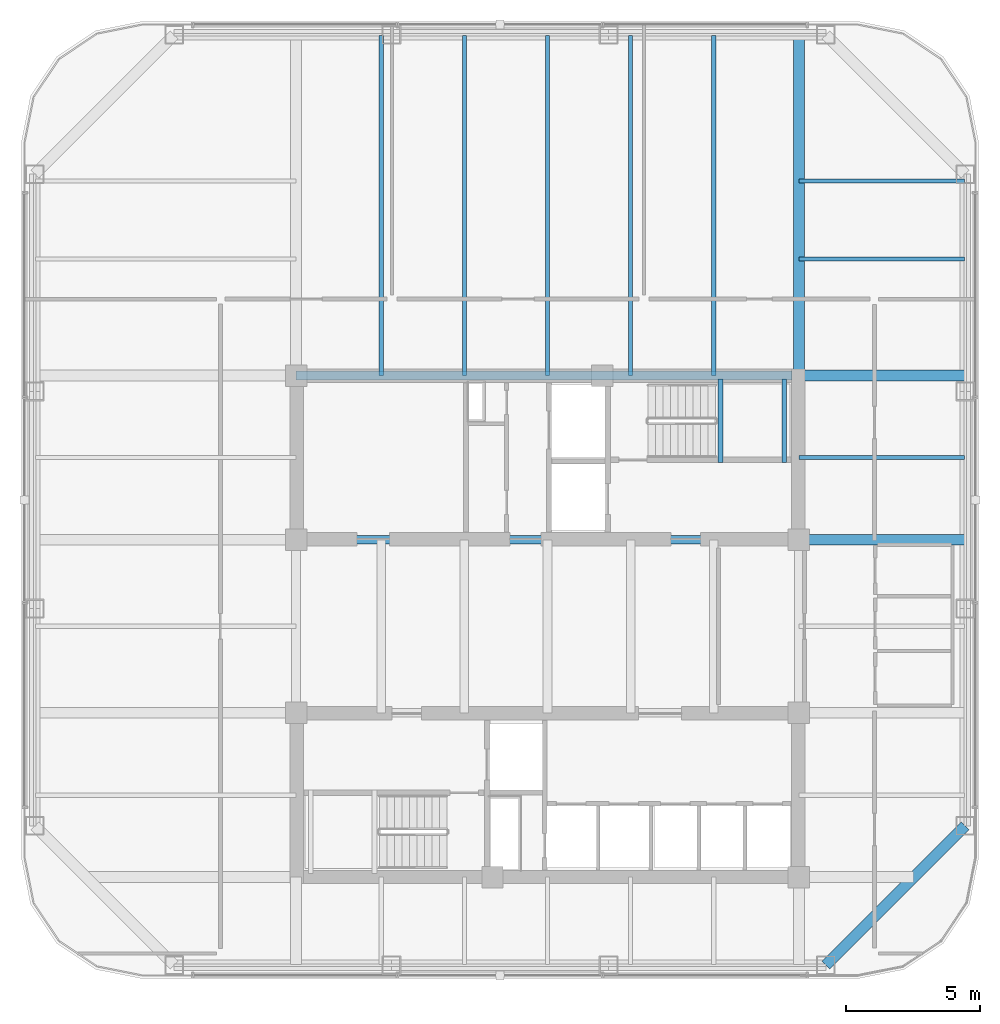
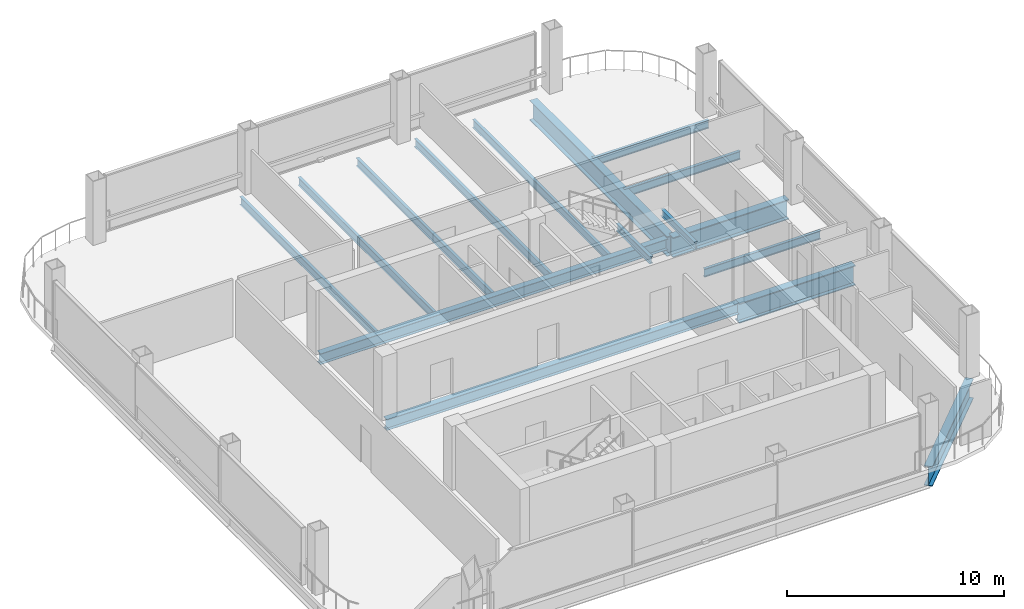
# One storey, part 7 of 19: 16 beams.
"""IFC4 building model written with IfcOpenShell, lengths in metres."""

from ifc_helpers import new_model, si_unit, direction, frame, origin, origin_2d, place, context, subcontext, project, spatial, i_section, extrude, material, material_profile, profile_set, type_object, element, save


model = new_model("IFC4")

# Units and contexts
model_context = context("Model", 3, precision=1e-05, world=origin(), true_north=direction((0.0, 1.0)))
body_context = subcontext(model_context, "Body", "Model", "MODEL_VIEW")
ifc_project = project(units=[si_unit("LENGTHUNIT", "METRE"), si_unit("AREAUNIT", "SQUARE_METRE"), si_unit("VOLUMEUNIT", "CUBIC_METRE"), si_unit("PLANEANGLEUNIT", "RADIAN"), si_unit("MASSUNIT", "GRAM", prefix="KILO")], contexts=[model_context])

# Site, building, storey
site_placement = place(None, origin())
site = spatial("IfcSite", under=ifc_project, at=site_placement, CompositionType="ELEMENT")
building_placement = place(site_placement, origin())
building = spatial("IfcBuilding", under=site, at=building_placement, Name="Qhalaya Broadcast Tower", CompositionType="ELEMENT")
storey_placement = place(building_placement, frame((0.0, 0.0, 148.199951171875)))
storey = spatial("IfcBuildingStorey", under=building, at=storey_placement, Name="L43", CompositionType="ELEMENT", Elevation=148.199951171875)

# Beams
ifc_material = material(Name="Structural Steel ASTM A992 Grade 50", Category="steel")
ifc_material_profile_1 = material_profile(ifc_material, i_section(OverallWidth=0.154052734375, OverallDepth=0.458984375, WebThickness=0.009033203125, FlangeThickness=0.015380859375, at=origin_2d()), Name="W18X46")
ifc_profile_set_1 = profile_set([ifc_material_profile_1], Name="Structural Steel ASTM A992 Grade 50")
beam_type_1 = type_object("IfcBeamType", Name="Composite Floor Joist J04", PredefinedType="JOIST", material=ifc_profile_set_1)
for number, where, z_axis, x_axis, name in (
    (1, (-6.199951171875, 9.949951171875, -0.449462890625), (0.0, 1.0, 0.0), (-1.0, 0.0, 0.0), "L43 J04 L43-JNN1-1"),
    (2, (-3.10009765625, 9.949951171875, -0.449462890625), (0.0, 1.0, 0.0), (-1.0, 0.0, 0.0), "L43 J04 L43-JNN2-1"),
    (3, (0.0, 9.949951171875, -0.449462890625), (0.0, 1.0, 0.0), (-1.0, 0.0, 0.0), "L43 J04 L43-JNN3-1"),
    (4, (3.10009765625, 9.949951171875, -0.449462890625), (0.0, 1.0, 0.0), (-1.0, 0.0, 0.0), "L43 J04 L43-JNN4-1"),
    (5, (6.199951171875, 9.949951171875, -0.449462890625), (0.0, 1.0, 0.0), (-1.0, 0.0, 0.0), "L43 J04 L43-JNN5-1"),
):
    element("IfcBeam", number, at=place(storey_placement, frame(where, z_axis=z_axis, x_axis=x_axis)), inside=storey, type_object=beam_type_1, Name=name, PredefinedType="JOIST", context=body_context, shape_type="SweptSolid", body=[
        extrude(i_section(OverallWidth=0.154052734375, OverallDepth=0.458984375, WebThickness=0.009033203125, FlangeThickness=0.015380859375, at=origin_2d()), origin(), (0.0, 0.0, 1.0), 12.68994140625),
    ])
for number, where, z_axis, x_axis, name in (
    (6, (9.375, 6.89990234375, -0.449462890625), (1.0, 0.0, 0.0), (0.0, 1.0, 0.0), "L43 J04 L43-JWE5E-1"),
    (7, (9.375, 14.300048828125, -0.449462890625), (1.0, 0.0, 0.0), (0.0, 1.0, 0.0), "L43 J04 L43-JWE6E-1"),
    (8, (9.375, 17.199951171875, -0.449462890625), (1.0, 0.0, 0.0), (0.0, 1.0, 0.0), "L43 J04 L43-JWE7E-1"),
):
    element("IfcBeam", number, at=place(storey_placement, frame(where, z_axis=z_axis, x_axis=x_axis)), inside=storey, type_object=beam_type_1, Name=name, PredefinedType="JOIST", context=body_context, shape_type="SweptSolid", body=[
        extrude(i_section(OverallWidth=0.154052734375, OverallDepth=0.458984375, WebThickness=0.009033203125, FlangeThickness=0.015380859375, at=origin_2d()), origin(), (0.0, 0.0, 1.0), 6.18505859375),
    ])
ifc_material_profile_2 = material_profile(ifc_material, i_section(OverallWidth=0.323974609375, OverallDepth=0.612060546875, WebThickness=0.0126953125, FlangeThickness=0.01904296875, at=origin_2d()), Name="W24X104")
ifc_profile_set_2 = profile_set([ifc_material_profile_2], Name="Structural Steel ASTM A992 Grade 50")
beam_type_2 = type_object("IfcBeamType", Name="Core Frame Tie Beam B04", PredefinedType="BEAM", material=ifc_profile_set_2)
beam_1_placement = place(storey_placement, frame((-9.375, 3.824951171875, -0.52587890625), z_axis=(1.0, 0.0, 0.0), x_axis=(0.0, 1.0, 0.0)))
element("IfcBeam", 9, at=beam_1_placement, inside=storey, type_object=beam_type_2, Name="L43 B04 L43-CCN1", PredefinedType="BEAM", context=body_context, shape_type="SweptSolid", body=[
    extrude(i_section(OverallWidth=0.323974609375, OverallDepth=0.612060546875, WebThickness=0.0126953125, FlangeThickness=0.01904296875, at=origin_2d()), origin(), (0.0, 0.0, 1.0), 18.75),
])
beam_2_placement = place(storey_placement, frame((-9.375, 9.949951171875, -0.52587890625), z_axis=(1.0, 0.0, 0.0), x_axis=(0.0, 1.0, 0.0)))
element("IfcBeam", 10, at=beam_2_placement, inside=storey, type_object=beam_type_2, Name="L43 B04 L43-CCN3", PredefinedType="BEAM", context=body_context, shape_type="SweptSolid", body=[
    extrude(i_section(OverallWidth=0.323974609375, OverallDepth=0.612060546875, WebThickness=0.0126953125, FlangeThickness=0.01904296875, at=origin_2d()), origin(), (0.0, 0.0, 1.0), 18.4951171875),
])
ifc_material_profile_3 = material_profile(ifc_material, i_section(OverallWidth=0.404052734375, OverallDepth=1.117919921875, WebThickness=0.026123046875, FlangeThickness=0.044921875, at=origin_2d()), Name="W44X335")
ifc_profile_set_3 = profile_set([ifc_material_profile_3], Name="Structural Steel ASTM A992 Grade 50")
beam_type_3 = type_object("IfcBeamType", Name="Podium Long-Span Primary Girder PG1", PredefinedType="USERDEFINED", material=ifc_profile_set_3)
beam_3_placement = place(storey_placement, frame((10.3798828125, -12.0400390625, -0.779052734375), z_axis=(0.707123380132, 0.707090181851, 0.0), x_axis=(-0.707090181851, 0.707123380132, 0.0)))
element("IfcBeam", 11, at=beam_3_placement, inside=storey, type_object=beam_type_3, Name="L43 PG1 L43-SPR-04", ObjectType="GIRDER", PredefinedType="USERDEFINED", context=body_context, shape_type="SweptSolid", body=[
    extrude(i_section(OverallWidth=0.404052734375, OverallDepth=1.117919921875, WebThickness=0.026123046875, FlangeThickness=0.044921875, at=origin_2d()), origin(), (0.0, 0.0, 1.0), 7.35400390625),
])
beam_4_placement = place(storey_placement, frame((9.375, 9.949951171875, -0.779052734375), z_axis=(0.0, 1.0, 0.0), x_axis=(-1.0, 0.0, 0.0)))
element("IfcBeam", 12, at=beam_4_placement, inside=storey, type_object=beam_type_3, Name="L43 PG1 L43-PGXN2-1", ObjectType="GIRDER", PredefinedType="USERDEFINED", context=body_context, shape_type="SweptSolid", body=[
    extrude(i_section(OverallWidth=0.404052734375, OverallDepth=1.117919921875, WebThickness=0.026123046875, FlangeThickness=0.044921875, at=origin_2d()), origin(), (0.0, 0.0, 1.0), 12.68994140625),
])
for number, where, z_axis, x_axis, name in (
    (13, (9.375, 3.824951171875, -0.779052734375), (1.0, 0.0, 0.0), (0.0, 1.0, 0.0), "L43 PG1 L43-PGYE3-1"),
    (14, (9.375, 9.949951171875, -0.779052734375), (1.0, 0.0, 0.0), (0.0, 1.0, 0.0), "L43 PG1 L43-PGYE4-1"),
):
    element("IfcBeam", number, at=place(storey_placement, frame(where, z_axis=z_axis, x_axis=x_axis)), inside=storey, type_object=beam_type_3, Name=name, ObjectType="GIRDER", PredefinedType="USERDEFINED", context=body_context, shape_type="SweptSolid", body=[
        extrude(i_section(OverallWidth=0.404052734375, OverallDepth=1.117919921875, WebThickness=0.026123046875, FlangeThickness=0.044921875, at=origin_2d()), origin(), (0.0, 0.0, 1.0), 6.18505859375),
    ])
ifc_material_profile_4 = material_profile(ifc_material, i_section(OverallWidth=0.177978515625, OverallDepth=0.406005859375, WebThickness=0.0078125, FlangeThickness=0.0126953125, at=origin_2d()), Name="W16X40")
ifc_profile_set_4 = profile_set([ifc_material_profile_4], Name="Structural Steel ASTM A992 Grade 50")
beam_type_4 = type_object("IfcBeamType", Name="Upper Perimeter Spandrel Beam SP2", PredefinedType="SPANDREL", material=ifc_profile_set_4)
for number, where, z_axis, x_axis, name in (
    (15, (6.455078125, 6.699951171875, 1.39697265625), (0.0, 1.0, 0.0), (-1.0, 0.0, 0.0), "L43 ST-1 Half-Landing Bearer Beam 1"),
    (16, (8.830078125, 6.699951171875, 1.39697265625), (0.0, 1.0, 0.0), (-1.0, 0.0, 0.0), "L43 ST-1 Half-Landing Bearer Beam 2"),
):
    element("IfcBeam", number, at=place(storey_placement, frame(where, z_axis=z_axis, x_axis=x_axis)), inside=storey, type_object=beam_type_4, Name=name, PredefinedType="SPANDREL", context=body_context, shape_type="SweptSolid", body=[
        extrude(i_section(OverallWidth=0.177978515625, OverallDepth=0.406005859375, WebThickness=0.0078125, FlangeThickness=0.0126953125, at=origin_2d()), origin(), (0.0, 0.0, 1.0), 3.1201171875),
    ])

save(model, "model.ifc")
